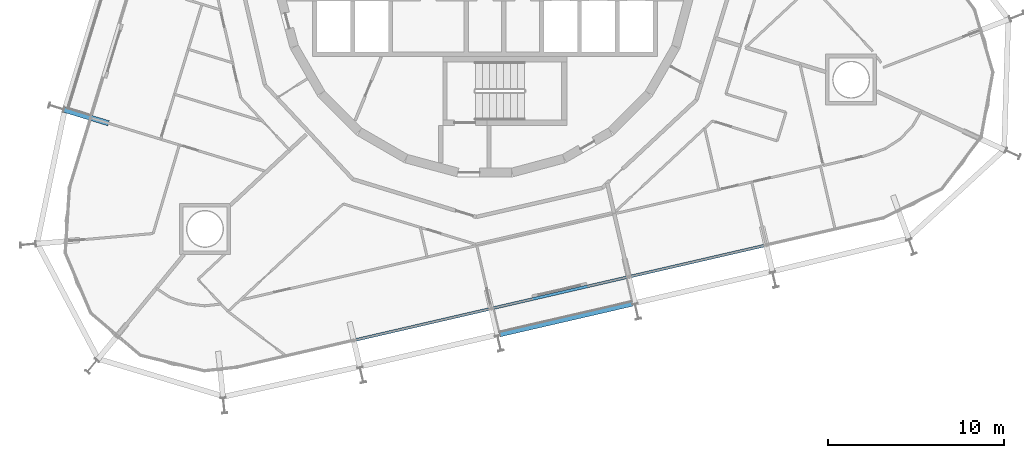
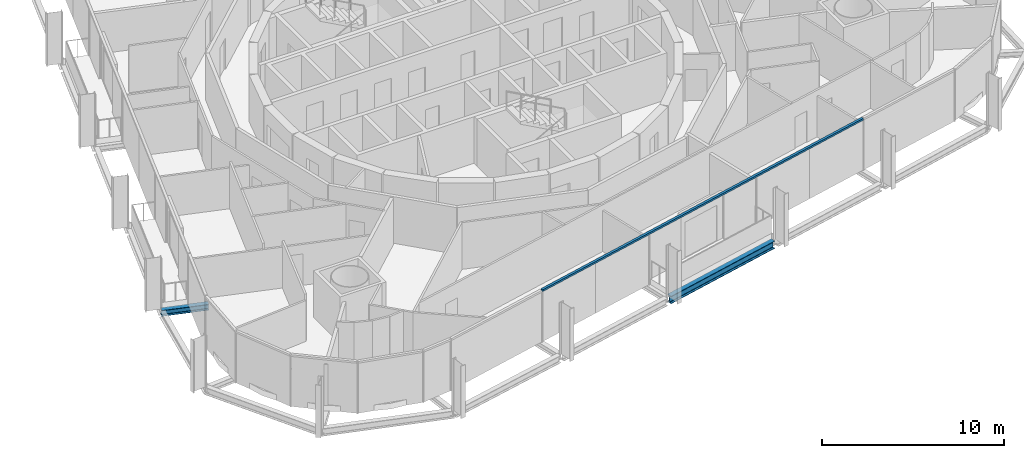
# One storey, part 4 of 18: 2 beams, 1 member, 1 element without a shape of its own.
"""IFC4 building model written with IfcOpenShell, lengths in metres."""

from ifc_helpers import new_model, si_unit, direction, frame, origin, origin_2d, place, context, subcontext, project, spatial, rectangle, i_section, extrude, material, layer, layer_set, material_profile, profile_set, type_object, element, aggregate, save


model = new_model("IFC4")

# Units and contexts
model_context = context("Model", 3, precision=1e-05, world=origin(), true_north=direction((0.0, 1.0)))
body_context = subcontext(model_context, "Body", "Model", "MODEL_VIEW")
ifc_project = project(units=[si_unit("LENGTHUNIT", "METRE"), si_unit("AREAUNIT", "SQUARE_METRE"), si_unit("VOLUMEUNIT", "CUBIC_METRE"), si_unit("PLANEANGLEUNIT", "RADIAN"), si_unit("MASSUNIT", "GRAM", prefix="KILO")], contexts=[model_context])

# Site, building, storey
site_placement = place(None, origin())
site = spatial("IfcSite", under=ifc_project, at=site_placement, CompositionType="ELEMENT")
building_placement = place(site_placement, origin())
building = spatial("IfcBuilding", under=site, at=building_placement, Name="Spindle Arch Residences", CompositionType="ELEMENT")
storey_placement = place(building_placement, frame((0.0, 0.0, 130.89990234375)))
storey = spatial("IfcBuildingStorey", under=building, at=storey_placement, Name="L32", CompositionType="ELEMENT", Elevation=130.89990234375)

# Curtain wall, member
ifc_material_1 = material(Name="Aluminium bronze unitised frame with tinted glass", Category="aluminium")
ifc_layer = layer(ifc_material_1, 0.159912109375)
ifc_layer_set = layer_set([ifc_layer], Name="CW-C typical residential unitised wall")
curtain_wall_type = type_object("IfcCurtainWallType", Name="CW-C typical residential unitised wall", PredefinedType="NOTDEFINED", material=ifc_layer_set)
curtain_wall_placement = place(storey_placement, origin())
curtain_wall = element("IfcCurtainWall", 1, at=curtain_wall_placement, inside=storey, type_object=curtain_wall_type, Name="CW-C L32 run 6", PredefinedType="NOTDEFINED")
ifc_material_2 = material(Name="Aluminium bronze anodised transom", Category="aluminium")
ifc_material_profile_1 = material_profile(ifc_material_2, rectangle(XDim=0.159912109375, YDim=0.1201171875, at=origin_2d()), Name="TR 120x160")
ifc_profile_set_1 = profile_set([ifc_material_profile_1], Name="Aluminium bronze anodised transom")
member_type = type_object("IfcMemberType", Name="Bronze transom 120x160", PredefinedType="USERDEFINED", material=ifc_profile_set_1)
member_placement = place(storey_placement, frame((-7.438232421875, -21.187255859375, 3.06005859375), z_axis=(0.974369784879, 0.224952266747, 0.0), x_axis=(-0.224952266747, 0.974369784879, 0.0)))
member = element("IfcMember", 2, at=member_placement, type_object=member_type, Name="CW-C transom 00", ObjectType="TRANSOM", PredefinedType="USERDEFINED", context=body_context, shape_type="SweptSolid", body=[
    extrude(rectangle(XDim=0.159912109375, YDim=0.1201171875, at=origin_2d()), origin(), (0.0, 0.0, 1.0), 24.02734375),
])
aggregate(curtain_wall, [member])

# Beams
ifc_material_3 = material(Name="Steel S460ML, intumescent coating R 120", Category="steel")
ifc_material_profile_2 = material_profile(ifc_material_3, i_section(OverallWidth=0.300048828125, OverallDepth=0.5, WebThickness=0.014404296875, FlangeThickness=0.028076171875, FilletRadius=0.027099609375, at=origin_2d()), Name="HEB 500")
ifc_profile_set_2 = profile_set([ifc_material_profile_2], Name="Steel S460ML, intumescent coating R 120")
beam_type_1 = type_object("IfcBeamType", Name="Exoskeleton edge beam HEB 500", PredefinedType="BEAM", material=ifc_profile_set_2)
beam_1_placement = place(storey_placement, frame((0.82666015625, -20.849365234375, -0.6298828125), z_axis=(0.974366827477, 0.224965076206, 0.0), x_axis=(-0.224965076206, 0.974366827477, 0.0)))
element("IfcBeam", 3, at=beam_1_placement, inside=storey, type_object=beam_type_1, Name="Exoskeleton edge beam 22", PredefinedType="BEAM", context=body_context, shape_type="SweptSolid", body=[
    extrude(i_section(OverallWidth=0.300048828125, OverallDepth=0.5, WebThickness=0.014404296875, FlangeThickness=0.028076171875, FilletRadius=0.027099609375, at=origin_2d()), origin(), (0.0, 0.0, 1.0), 7.769287109375),
])
ifc_material_4 = material(Name="Steel S460ML, intumescent coating R 120", Category="steel")
ifc_material_profile_3 = material_profile(ifc_material_4, i_section(OverallWidth=0.300048828125, OverallDepth=0.389892578125, WebThickness=0.010986328125, FlangeThickness=0.01904296875, FilletRadius=0.027099609375, at=origin_2d()), Name="HEA 400")
ifc_profile_set_3 = profile_set([ifc_material_profile_3], Name="Steel S460ML, intumescent coating R 120")
beam_type_2 = type_object("IfcBeamType", Name="Floor outrigger HEA 400", PredefinedType="BEAM", material=ifc_profile_set_3)
beam_2_placement = place(storey_placement, frame((-23.947265625, -8.0712890625, -0.574951171875), z_axis=(0.956291475666, -0.292415139091, 0.0), x_axis=(0.292415139091, 0.956291475666, 0.0)))
element("IfcBeam", 4, at=beam_2_placement, inside=storey, type_object=beam_type_2, Name="Floor outrigger 17", PredefinedType="BEAM", context=body_context, shape_type="SweptSolid", body=[
    extrude(i_section(OverallWidth=0.300048828125, OverallDepth=0.389892578125, WebThickness=0.010986328125, FlangeThickness=0.01904296875, FilletRadius=0.027099609375, at=origin_2d()), origin(), (0.0, 0.0, 1.0), 2.64990234375),
])

save(model, "model.ifc")
